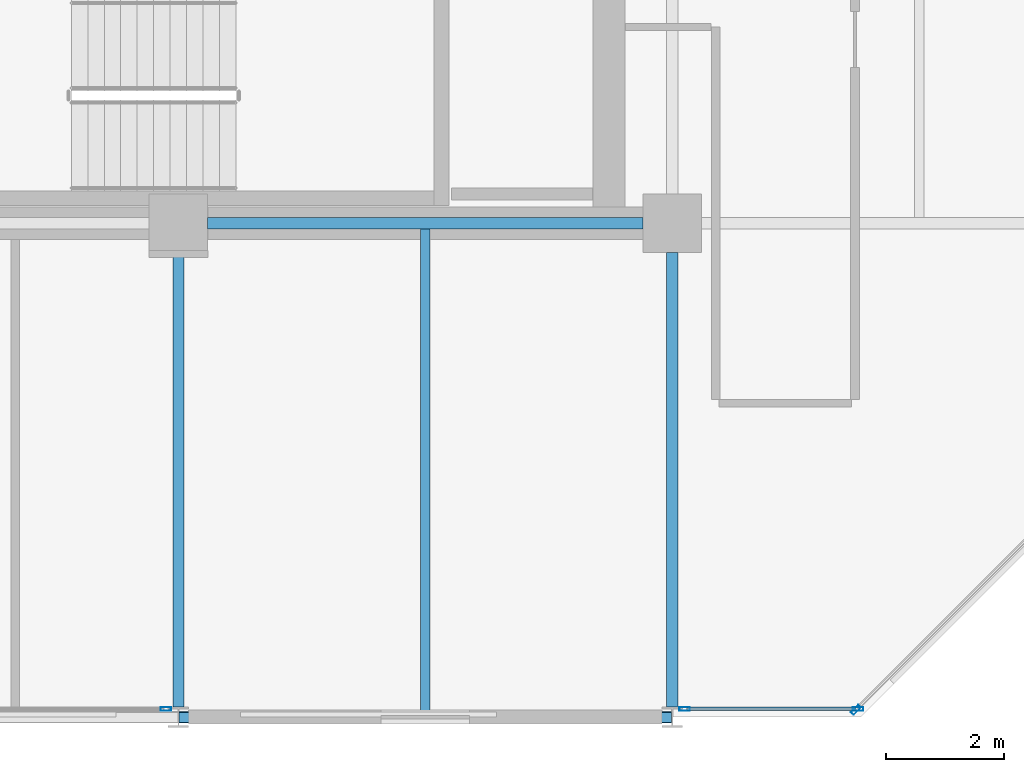
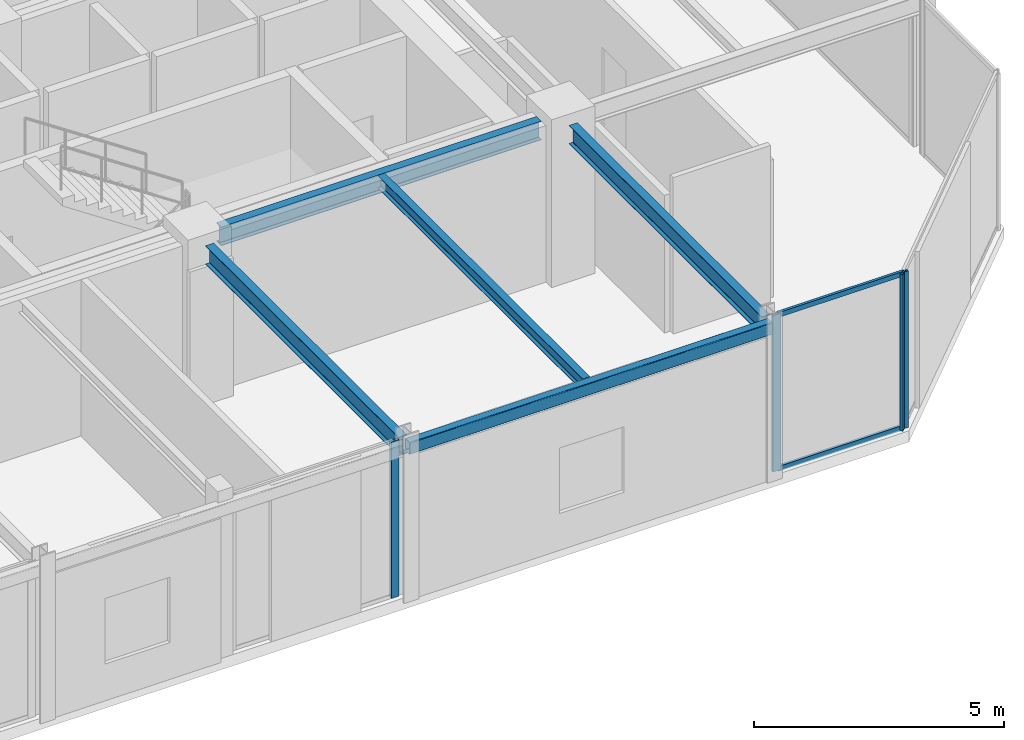
# One storey, part 11 of 29: 6 members, 5 beams, 3 elements without a shape of their own.
"""IFC4 building model written with IfcOpenShell, lengths in metres."""

from ifc_helpers import new_model, si_unit, direction, frame, origin, origin_2d, place, context, subcontext, project, spatial, hollow_rectangle, i_section, extrude, material, layer, layer_set, material_profile, profile_set, type_object, element, aggregate, save


model = new_model("IFC4")

# Units and contexts
model_context = context("Model", 3, precision=1e-05, world=origin(), true_north=direction((0.0, 1.0)))
body_context = subcontext(model_context, "Body", "Model", "MODEL_VIEW")
ifc_project = project(units=[si_unit("LENGTHUNIT", "METRE"), si_unit("AREAUNIT", "SQUARE_METRE"), si_unit("VOLUMEUNIT", "CUBIC_METRE"), si_unit("PLANEANGLEUNIT", "RADIAN"), si_unit("MASSUNIT", "GRAM", prefix="KILO")], contexts=[model_context])

# Site, building, storey
site_placement = place(None, origin())
site = spatial("IfcSite", under=ifc_project, at=site_placement, CompositionType="ELEMENT")
building_placement = place(site_placement, origin())
building = spatial("IfcBuilding", under=site, at=building_placement, Name="Nerrivon Quay Data Exchange", CompositionType="ELEMENT")
storey_placement = place(building_placement, frame((0.0, 0.0, 200.10009765625)))
storey = spatial("IfcBuildingStorey", under=building, at=storey_placement, Name="L47", CompositionType="ELEMENT", Elevation=200.10009765625)

# Beams
ifc_material_1 = material(Name="Steel Grade 350", Category="steel")
ifc_material_profile_1 = material_profile(ifc_material_1, i_section(OverallWidth=0.19091796875, OverallDepth=0.4599609375, WebThickness=0.010009765625, FlangeThickness=0.01611328125, FilletRadius=0.011474609375, at=origin_2d()), Name="460UB82.1")
ifc_profile_set_1 = profile_set([ifc_material_profile_1], Name="Steel Grade 350")
beam_type_1 = type_object("IfcBeamType", Name="BM-G5-460UB82", PredefinedType="BEAM", material=ifc_profile_set_1)
beam_1_placement = place(storey_placement, frame((25.699951171875, 8.39990234375, 3.594970703125), z_axis=(1.0, 0.0, 0.0), x_axis=(0.0, 1.0, 0.0)))
element("IfcBeam", 1, at=beam_1_placement, inside=storey, type_object=beam_type_1, Name="L47 EW Girder Y=8.4 (25.2..33.6)", PredefinedType="BEAM", context=body_context, shape_type="SweptSolid", body=[
    extrude(i_section(OverallWidth=0.19091796875, OverallDepth=0.4599609375, WebThickness=0.010009765625, FlangeThickness=0.01611328125, FilletRadius=0.011474609375, at=origin_2d()), origin(), (0.0, 0.0, 1.0), 7.400146484375),
])
ifc_material_profile_2 = material_profile(ifc_material_1, i_section(OverallWidth=0.18994140625, OverallDepth=0.4541015625, WebThickness=0.008544921875, FlangeThickness=0.0126953125, FilletRadius=0.011474609375, at=origin_2d()), Name="460UB67.1")
ifc_profile_set_2 = profile_set([ifc_material_profile_2], Name="Steel Grade 350")
beam_type_2 = type_object("IfcBeamType", Name="BM-G6-460UB67", PredefinedType="BEAM", material=ifc_profile_set_2)
for number, where, z_axis, x_axis, name in (
    (2, (25.199951171875, 0.175048828125, 3.597900390625), (0.0, 1.0, 0.0), (-1.0, 0.0, 0.0), "L47 NS Girder X=25.2 (0.0..8.4)"),
    (3, (33.60009765625, 0.175048828125, 3.597900390625), (0.0, 1.0, 0.0), (-1.0, 0.0, 0.0), "L47 NS Girder X=33.6 (0.0..8.4)"),
):
    element("IfcBeam", number, at=place(storey_placement, frame(where, z_axis=z_axis, x_axis=x_axis)), inside=storey, type_object=beam_type_2, Name=name, PredefinedType="BEAM", context=body_context, shape_type="SweptSolid", body=[
        extrude(i_section(OverallWidth=0.18994140625, OverallDepth=0.4541015625, WebThickness=0.008544921875, FlangeThickness=0.0126953125, FilletRadius=0.011474609375, at=origin_2d()), origin(), (0.0, 0.0, 1.0), 7.724853515625),
    ])
ifc_material_profile_3 = material_profile(ifc_material_1, i_section(OverallWidth=0.166015625, OverallDepth=0.306884765625, WebThickness=0.006591796875, FlangeThickness=0.01171875, FilletRadius=0.011474609375, at=origin_2d()), Name="310UB46.2")
ifc_profile_set_3 = profile_set([ifc_material_profile_3], Name="Steel Grade 350")
beam_type_3 = type_object("IfcBeamType", Name="BM-J5-310UB46", PredefinedType="JOIST", material=ifc_profile_set_3)
beam_2_placement = place(storey_placement, frame((29.39990234375, 0.10009765625, 3.67138671875), z_axis=(0.0, 1.0, 0.0), x_axis=(-1.0, 0.0, 0.0)))
element("IfcBeam", 4, at=beam_2_placement, inside=storey, type_object=beam_type_3, Name="L47 Secondary Joist X=29.4 (0.0..8.4)", PredefinedType="JOIST", context=body_context, shape_type="SweptSolid", body=[
    extrude(i_section(OverallWidth=0.166015625, OverallDepth=0.306884765625, WebThickness=0.006591796875, FlangeThickness=0.01171875, FilletRadius=0.011474609375, at=origin_2d()), origin(), (0.0, 0.0, 1.0), 8.204345703125),
])
ifc_material_2 = material(Name="Steel Grade C350L0 (350 MPa)", Category="steel")
ifc_material_profile_4 = material_profile(ifc_material_2, hollow_rectangle(XDim=0.199951171875, YDim=0.300048828125, WallThickness=0.012451171875, InnerFilletRadius=0.018798828125, OuterFilletRadius=0.03125, at=origin_2d()), Name="300x200x12.5RHS")
ifc_profile_set_4 = profile_set([ifc_material_profile_4], Name="Steel Grade C350L0 (350 MPa)")
beam_type_4 = type_object("IfcBeamType", Name="BM-SP3-300x200RHS", PredefinedType="SPANDREL", material=ifc_profile_set_4)
beam_3_placement = place(storey_placement, frame((25.2099609375, 0.0, 3.6748046875), z_axis=(1.0, 0.0, 0.0), x_axis=(0.0, 1.0, 0.0)))
element("IfcBeam", 5, at=beam_3_placement, inside=storey, type_object=beam_type_4, Name="L47 EW Girder Y=0.0 (25.2..33.6)", PredefinedType="SPANDREL", context=body_context, shape_type="SweptSolid", body=[
    extrude(hollow_rectangle(XDim=0.199951171875, YDim=0.300048828125, WallThickness=0.012451171875, InnerFilletRadius=0.018798828125, OuterFilletRadius=0.03125, at=origin_2d()), origin(), (0.0, 0.0, 1.0), 8.380126953125),
])

# Curtain wall, member
ifc_material_3 = material(Name="Anodised aluminium 6063-T6", Category="aluminium")
ifc_layer = layer(ifc_material_3, 0.195068359375)
ifc_layer_set = layer_set([ifc_layer], Name="Anodised aluminium 6063-T6")
curtain_wall_type = type_object("IfcCurtainWallType", Name="CW-SYS-06", PredefinedType="NOTDEFINED", material=ifc_layer_set)
curtain_wall_1_placement = place(storey_placement, origin())
curtain_wall_1 = element("IfcCurtainWall", 6, at=curtain_wall_1_placement, inside=storey, type_object=curtain_wall_type, Name="L47 Unitised Curtain Wall 21", PredefinedType="NOTDEFINED")
ifc_material_profile_5 = material_profile(ifc_material_3, hollow_rectangle(XDim=0.06494140625, YDim=0.179931640625, WallThickness=0.00341796875, at=origin_2d()), Name="ALU-MULL-180x65")
ifc_profile_set_5 = profile_set([ifc_material_profile_5], Name="Anodised aluminium 6063-T6")
member_type_1 = type_object("IfcMemberType", Name="CWM-180x65", PredefinedType="MULLION", material=ifc_profile_set_5)
member_1_placement = place(storey_placement, frame((36.7275390625, 0.12548828125, 0.0), z_axis=(0.0, 0.0, 1.0), x_axis=(0.707106781187, -0.707106781187, 0.0)))
member_1 = element("IfcMember", 7, at=member_1_placement, type_object=member_type_1, Name="CW06 mullion 2", PredefinedType="MULLION", context=body_context, shape_type="SweptSolid", body=[
    extrude(hollow_rectangle(XDim=0.06494140625, YDim=0.179931640625, WallThickness=0.00341796875, at=origin_2d()), origin(), (0.0, 0.0, 1.0), 3.824951171875),
])
aggregate(curtain_wall_1, [member_1])

# Curtain wall, members
curtain_wall_2_placement = place(storey_placement, origin())
curtain_wall_2 = element("IfcCurtainWall", 8, at=curtain_wall_2_placement, inside=storey, type_object=curtain_wall_type, Name="L47 Unitised Curtain Wall 22", PredefinedType="NOTDEFINED")
member_2_placement = place(storey_placement, frame((36.762451171875, 0.139892578125, 0.0), z_axis=(0.0, 0.0, 1.0), x_axis=(0.0, -1.0, 0.0)))
member_2 = element("IfcMember", 9, at=member_2_placement, type_object=member_type_1, Name="CW06 mullion 1", PredefinedType="MULLION", context=body_context, shape_type="SweptSolid", body=[
    extrude(hollow_rectangle(XDim=0.06494140625, YDim=0.179931640625, WallThickness=0.00341796875, at=origin_2d()), origin(), (0.0, 0.0, 1.0), 3.824951171875),
])
member_3_placement = place(storey_placement, frame((33.8125, 0.139892578125, 0.0), z_axis=(0.0, 0.0, 1.0), x_axis=(0.0, -1.0, 0.0)))
member_3 = element("IfcMember", 10, at=member_3_placement, type_object=member_type_1, Name="CW06 mullion 2", PredefinedType="MULLION", context=body_context, shape_type="SweptSolid", body=[
    extrude(hollow_rectangle(XDim=0.06494140625, YDim=0.179931640625, WallThickness=0.00341796875, at=origin_2d()), origin(), (0.0, 0.0, 1.0), 3.824951171875),
])

# Curtain wall, member
curtain_wall_3_placement = place(storey_placement, origin())
curtain_wall_3 = element("IfcCurtainWall", 11, at=curtain_wall_3_placement, inside=storey, type_object=curtain_wall_type, Name="L47 Unitised Curtain Wall 24", PredefinedType="NOTDEFINED")
member_4_placement = place(storey_placement, frame((24.987548828125, 0.139892578125, 0.0), z_axis=(0.0, 0.0, 1.0), x_axis=(0.0, -1.0, 0.0)))
member_4 = element("IfcMember", 12, at=member_4_placement, type_object=member_type_1, Name="CW06 mullion 1", PredefinedType="MULLION", context=body_context, shape_type="SweptSolid", body=[
    extrude(hollow_rectangle(XDim=0.06494140625, YDim=0.179931640625, WallThickness=0.00341796875, at=origin_2d()), origin(), (0.0, 0.0, 1.0), 3.824951171875),
])
aggregate(curtain_wall_3, [member_4])

# Member
ifc_material_profile_6 = material_profile(ifc_material_3, hollow_rectangle(XDim=0.06005859375, YDim=0.1201171875, WallThickness=0.003173828125, at=origin_2d()), Name="ALU-TRAN-120x60")
ifc_profile_set_6 = profile_set([ifc_material_profile_6], Name="Anodised aluminium 6063-T6")
member_type_2 = type_object("IfcMemberType", Name="CWT-120x60", PredefinedType="USERDEFINED", material=ifc_profile_set_6)
member_5_placement = place(storey_placement, frame((36.72509765625, 0.139892578125, 0.032470703125), z_axis=(-1.0, 0.0, 0.0), x_axis=(0.0, -1.0, 0.0)))
member_5 = element("IfcMember", 13, at=member_5_placement, type_object=member_type_2, Name="CW06 transom 1.1", ObjectType="TRANSOM", PredefinedType="USERDEFINED", context=body_context, shape_type="SweptSolid", body=[
    extrude(hollow_rectangle(XDim=0.06005859375, YDim=0.1201171875, WallThickness=0.003173828125, at=origin_2d()), origin(), (0.0, 0.0, 1.0), 2.875),
])

member_6_placement = place(storey_placement, frame((36.72509765625, 0.139892578125, 3.79248046875), z_axis=(-1.0, 0.0, 0.0), x_axis=(0.0, -1.0, 0.0)))
member_6 = element("IfcMember", 14, at=member_6_placement, type_object=member_type_2, Name="CW06 transom 1.2", ObjectType="TRANSOM", PredefinedType="USERDEFINED", context=body_context, shape_type="SweptSolid", body=[
    extrude(hollow_rectangle(XDim=0.06005859375, YDim=0.1201171875, WallThickness=0.003173828125, at=origin_2d()), origin(), (0.0, 0.0, 1.0), 2.875),
])

aggregate(curtain_wall_2, [member_2, member_3, member_5, member_6])

save(model, "model.ifc")
